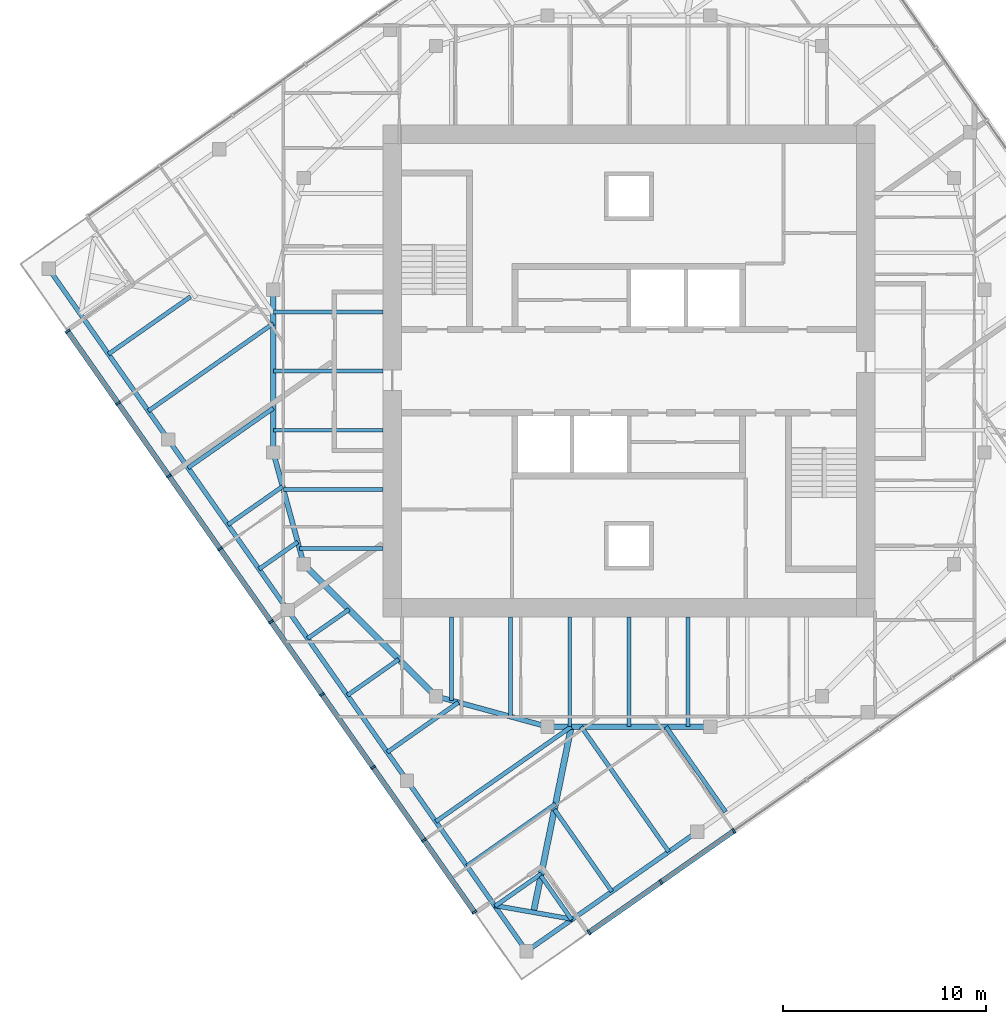
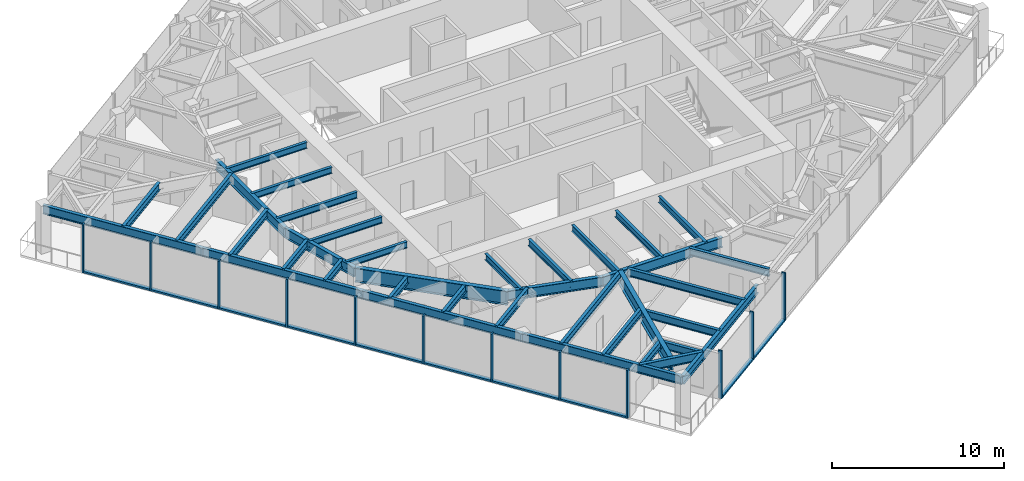
# One storey, part 2 of 12: 37 beams, 22 members, 2 elements without a shape of their own.
"""IFC4 building model written with IfcOpenShell, lengths in metres."""

from ifc_helpers import new_model, si_unit, direction, frame, origin, origin_2d, place, context, subcontext, project, spatial, rectangle, i_section, extrude, material, material_profile, profile_set, type_object, element, aggregate, save


model = new_model("IFC4")

# Units and contexts
model_context = context("Model", 3, precision=1e-05, world=origin(), true_north=direction((0.0, 1.0)))
body_context = subcontext(model_context, "Body", "Model", "MODEL_VIEW")
ifc_project = project(units=[si_unit("LENGTHUNIT", "METRE"), si_unit("AREAUNIT", "SQUARE_METRE"), si_unit("VOLUMEUNIT", "CUBIC_METRE"), si_unit("PLANEANGLEUNIT", "RADIAN"), si_unit("MASSUNIT", "GRAM", prefix="KILO")], contexts=[model_context])

# Site, building, storey
site_placement = place(None, origin())
site = spatial("IfcSite", under=ifc_project, at=site_placement, CompositionType="ELEMENT")
building_placement = place(site_placement, origin())
building = spatial("IfcBuilding", under=site, at=building_placement, Name="Torsade Residences", CompositionType="ELEMENT")
storey_placement = place(building_placement, frame((0.0, 0.0, 243.800048828125)))
storey = spatial("IfcBuildingStorey", under=building, at=storey_placement, Name="L67", CompositionType="ELEMENT", Elevation=243.800048828125)

# Beams
ifc_material_1 = material(Name="Steel grade 300", Category="steel")
ifc_material_profile_1 = material_profile(ifc_material_1, i_section(OverallWidth=0.300048828125, OverallDepth=0.89990234375, WebThickness=0.011962890625, FlangeThickness=0.02490234375, at=origin_2d()), Name="900WB175")
ifc_profile_set_1 = profile_set([ifc_material_profile_1], Name="Steel grade 300")
beam_type_1 = type_object("IfcBeamType", Name="CORNER GIRDER 900WB175", PredefinedType="BEAM", material=ifc_profile_set_1)
beam_1_placement = place(storey_placement, frame((35.303466796875, 3.364013671875, 2.800048828125), z_axis=(0.199584461589, 0.979880626756, 0.0), x_axis=(-0.979880626756, 0.199584461589, 0.0)))
element("IfcBeam", 1, at=beam_1_placement, inside=storey, type_object=beam_type_1, Name="Corner girder 01 L68", PredefinedType="BEAM", context=body_context, shape_type="SweptSolid", body=[
    extrude(i_section(OverallWidth=0.300048828125, OverallDepth=0.89990234375, WebThickness=0.011962890625, FlangeThickness=0.02490234375, at=origin_2d()), origin(), (0.0, 0.0, 1.0), 9.323486328125),
])
ifc_material_2 = material(Name="Steel grade 300", Category="steel")
ifc_material_profile_2 = material_profile(ifc_material_2, i_section(OverallWidth=0.22802734375, OverallDepth=0.60205078125, WebThickness=0.010498046875, FlangeThickness=0.014892578125, FilletRadius=0.013916015625, at=origin_2d()), Name="610UB101")
ifc_profile_set_2 = profile_set([ifc_material_profile_2], Name="Steel grade 300")
beam_type_2 = type_object("IfcBeamType", Name="CORNER TRIMMER 610UB101", PredefinedType="BEAM", material=ifc_profile_set_2)
beam_2_placement = place(storey_placement, frame((37.21826171875, 3.0263671875, 2.948974609375), z_axis=(-0.984808196894, 0.173645660267, 0.0), x_axis=(-0.173645660267, -0.984808196894, 0.0)))
element("IfcBeam", 2, at=beam_2_placement, inside=storey, type_object=beam_type_2, Name="Corner trimmer 01 L68", PredefinedType="BEAM", context=body_context, shape_type="SweptSolid", body=[
    extrude(i_section(OverallWidth=0.22802734375, OverallDepth=0.60205078125, WebThickness=0.010498046875, FlangeThickness=0.014892578125, FilletRadius=0.013916015625, at=origin_2d()), origin(), (0.0, 0.0, 1.0), 3.888916015625),
])
ifc_material_3 = material(Name="Steel grade 300", Category="steel")
ifc_material_profile_3 = material_profile(ifc_material_3, i_section(OverallWidth=0.22900390625, OverallDepth=0.612060546875, WebThickness=0.011962890625, FlangeThickness=0.01953125, FilletRadius=0.013916015625, at=origin_2d()), Name="610UB125")
ifc_profile_set_3 = profile_set([ifc_material_profile_3], Name="Steel grade 300")
beam_type_3 = type_object("IfcBeamType", Name="EDGE BEAM 610UB125", PredefinedType="SPANDREL", material=ifc_profile_set_3)
for number, where, z_axis, x_axis, name in (
    (3, (34.9658203125, 1.448974609375, 2.94384765625), (0.819150225126, 0.573579034377, 0.0), (-0.573579034377, 0.819150225126, 0.0), "Edge beam 01 L68"),
    (4, (11.448974609375, 35.0341796875, 2.94384765625), (0.573579034377, -0.819150225126, 0.0), (0.819150225126, 0.573579034377, 0.0), "Edge beam 13 L68"),
    (5, (17.328125, 26.637939453125, 2.94384765625), (0.573579034377, -0.819150225126, 0.0), (0.819150225126, 0.573579034377, 0.0), "Edge beam 14 L68"),
    (6, (23.207275390625, 18.24169921875, 2.94384765625), (0.573579034377, -0.819150225126, 0.0), (0.819150225126, 0.573579034377, 0.0), "Edge beam 15 L68"),
):
    element("IfcBeam", number, at=place(storey_placement, frame(where, z_axis=z_axis, x_axis=x_axis)), inside=storey, type_object=beam_type_3, Name=name, PredefinedType="SPANDREL", context=body_context, shape_type="SweptSolid", body=[
        extrude(i_section(OverallWidth=0.22900390625, OverallDepth=0.612060546875, WebThickness=0.011962890625, FlangeThickness=0.01953125, FilletRadius=0.013916015625, at=origin_2d()), origin(), (0.0, 0.0, 1.0), 10.25),
    ])
beam_3_placement = place(storey_placement, frame((29.08642578125, 9.845458984375, 2.94384765625), z_axis=(0.573583825578, -0.819146870247, 0.0), x_axis=(0.819146870247, 0.573583825578, 0.0)))
element("IfcBeam", 7, at=beam_3_placement, inside=storey, type_object=beam_type_3, Name="Edge beam 16 L68", PredefinedType="SPANDREL", context=body_context, shape_type="SweptSolid", body=[
    extrude(i_section(OverallWidth=0.22900390625, OverallDepth=0.612060546875, WebThickness=0.011962890625, FlangeThickness=0.01953125, FilletRadius=0.013916015625, at=origin_2d()), origin(), (0.0, 0.0, 1.0), 10.250244140625),
])

# Curtain wall, members
ifc_material_4 = material(Name="Aluminium and glass", Category="aluminium")
curtain_wall_type = type_object("IfcCurtainWallType", Name="FRITTED GLASS CURTAIN WALL HIGH ZONE", PredefinedType="NOTDEFINED", material=ifc_material_4)
curtain_wall_1_placement = place(storey_placement, origin())
curtain_wall_1 = element("IfcCurtainWall", 8, at=curtain_wall_1_placement, inside=storey, type_object=curtain_wall_type, Name="Curtain wall L67 face 1", PredefinedType="NOTDEFINED")
ifc_material_5 = material(Name="Aluminium mullion", Category="aluminium")
ifc_material_profile_4 = material_profile(ifc_material_5, rectangle(XDim=0.25, YDim=0.10009765625, at=origin_2d()), Name="HIGH ZONE CURTAIN WALL MULLION 250x100")
ifc_profile_set_4 = profile_set([ifc_material_profile_4], Name="Aluminium mullion")
member_type_1 = type_object("IfcMemberType", Name="HIGH ZONE CURTAIN WALL MULLION 250x100", PredefinedType="MULLION", material=ifc_profile_set_4)
member_1_placement = place(storey_placement, frame((38.03759765625, 2.37939453125, 0.0), z_axis=(0.0, 0.0, 1.0), x_axis=(-0.573576457682, 0.819152029353, 0.0)))
member_1 = element("IfcMember", 9, at=member_1_placement, type_object=member_type_1, Name="Mullion 1", PredefinedType="MULLION", context=body_context, shape_type="SweptSolid", body=[
    extrude(rectangle(XDim=0.25, YDim=0.10009765625, at=origin_2d()), origin(), (0.0, 0.0, 1.0), 3.39990234375),
])
member_2_placement = place(storey_placement, frame((41.58056640625, 4.860107421875, 0.0), z_axis=(0.0, 0.0, 1.0), x_axis=(-0.573576457682, 0.819152029353, 0.0)))
member_2 = element("IfcMember", 10, at=member_2_placement, type_object=member_type_1, Name="Mullion 2", PredefinedType="MULLION", context=body_context, shape_type="SweptSolid", body=[
    extrude(rectangle(XDim=0.25, YDim=0.10009765625, at=origin_2d()), origin(), (0.0, 0.0, 1.0), 3.39990234375),
])
member_3_placement = place(storey_placement, frame((45.164306640625, 7.369384765625, 0.0), z_axis=(0.0, 0.0, 1.0), x_axis=(-0.573576457682, 0.819152029353, 0.0)))
member_3 = element("IfcMember", 11, at=member_3_placement, type_object=member_type_1, Name="Mullion 3", PredefinedType="MULLION", context=body_context, shape_type="SweptSolid", body=[
    extrude(rectangle(XDim=0.25, YDim=0.10009765625, at=origin_2d()), origin(), (0.0, 0.0, 1.0), 3.39990234375),
])

curtain_wall_2_placement = place(storey_placement, origin())
curtain_wall_2 = element("IfcCurtainWall", 12, at=curtain_wall_2_placement, inside=storey, type_object=curtain_wall_type, Name="Curtain wall L67 face 10", PredefinedType="NOTDEFINED")
member_4_placement = place(storey_placement, frame((12.37939453125, 31.96240234375, 0.0), z_axis=(0.0, 0.0, 1.0), x_axis=(0.819152029353, 0.573576457682, 0.0)))
member_4 = element("IfcMember", 13, at=member_4_placement, type_object=member_type_1, Name="Mullion 1", PredefinedType="MULLION", context=body_context, shape_type="SweptSolid", body=[
    extrude(rectangle(XDim=0.25, YDim=0.10009765625, at=origin_2d()), origin(), (0.0, 0.0, 1.0), 3.39990234375),
])
member_5_placement = place(storey_placement, frame((14.860107421875, 28.41943359375, 0.0), z_axis=(0.0, 0.0, 1.0), x_axis=(0.819152029353, 0.573576457682, 0.0)))
member_5 = element("IfcMember", 14, at=member_5_placement, type_object=member_type_1, Name="Mullion 2", PredefinedType="MULLION", context=body_context, shape_type="SweptSolid", body=[
    extrude(rectangle(XDim=0.25, YDim=0.10009765625, at=origin_2d()), origin(), (0.0, 0.0, 1.0), 3.39990234375),
])
member_6_placement = place(storey_placement, frame((17.369384765625, 24.835693359375, 0.0), z_axis=(0.0, 0.0, 1.0), x_axis=(0.819152029353, 0.573576457682, 0.0)))
member_6 = element("IfcMember", 15, at=member_6_placement, type_object=member_type_1, Name="Mullion 3", PredefinedType="MULLION", context=body_context, shape_type="SweptSolid", body=[
    extrude(rectangle(XDim=0.25, YDim=0.10009765625, at=origin_2d()), origin(), (0.0, 0.0, 1.0), 3.39990234375),
])
member_7_placement = place(storey_placement, frame((19.87890625, 21.251953125, 0.0), z_axis=(0.0, 0.0, 1.0), x_axis=(0.819152029353, 0.573576457682, 0.0)))
member_7 = element("IfcMember", 16, at=member_7_placement, type_object=member_type_1, Name="Mullion 4", PredefinedType="MULLION", context=body_context, shape_type="SweptSolid", body=[
    extrude(rectangle(XDim=0.25, YDim=0.10009765625, at=origin_2d()), origin(), (0.0, 0.0, 1.0), 3.39990234375),
])
member_8_placement = place(storey_placement, frame((22.38818359375, 17.668212890625, 0.0), z_axis=(0.0, 0.0, 1.0), x_axis=(0.819152029353, 0.573576457682, 0.0)))
member_8 = element("IfcMember", 17, at=member_8_placement, type_object=member_type_1, Name="Mullion 5", PredefinedType="MULLION", context=body_context, shape_type="SweptSolid", body=[
    extrude(rectangle(XDim=0.25, YDim=0.10009765625, at=origin_2d()), origin(), (0.0, 0.0, 1.0), 3.39990234375),
])
member_9_placement = place(storey_placement, frame((24.897705078125, 14.084228515625, 0.0), z_axis=(0.0, 0.0, 1.0), x_axis=(0.819152029353, 0.573576457682, 0.0)))
member_9 = element("IfcMember", 18, at=member_9_placement, type_object=member_type_1, Name="Mullion 6", PredefinedType="MULLION", context=body_context, shape_type="SweptSolid", body=[
    extrude(rectangle(XDim=0.25, YDim=0.10009765625, at=origin_2d()), origin(), (0.0, 0.0, 1.0), 3.39990234375),
])
member_10_placement = place(storey_placement, frame((27.406982421875, 10.50048828125, 0.0), z_axis=(0.0, 0.0, 1.0), x_axis=(0.819152029353, 0.573576457682, 0.0)))
member_10 = element("IfcMember", 19, at=member_10_placement, type_object=member_type_1, Name="Mullion 7", PredefinedType="MULLION", context=body_context, shape_type="SweptSolid", body=[
    extrude(rectangle(XDim=0.25, YDim=0.10009765625, at=origin_2d()), origin(), (0.0, 0.0, 1.0), 3.39990234375),
])
member_11_placement = place(storey_placement, frame((29.91650390625, 6.916748046875, 0.0), z_axis=(0.0, 0.0, 1.0), x_axis=(0.819152029353, 0.573576457682, 0.0)))
member_11 = element("IfcMember", 20, at=member_11_placement, type_object=member_type_1, Name="Mullion 8", PredefinedType="MULLION", context=body_context, shape_type="SweptSolid", body=[
    extrude(rectangle(XDim=0.25, YDim=0.10009765625, at=origin_2d()), origin(), (0.0, 0.0, 1.0), 3.39990234375),
])
member_12_placement = place(storey_placement, frame((32.397216796875, 3.3740234375, 0.0), z_axis=(0.0, 0.0, 1.0), x_axis=(0.819152029353, 0.573576457682, 0.0)))
member_12 = element("IfcMember", 21, at=member_12_placement, type_object=member_type_1, Name="Mullion 9", PredefinedType="MULLION", context=body_context, shape_type="SweptSolid", body=[
    extrude(rectangle(XDim=0.25, YDim=0.10009765625, at=origin_2d()), origin(), (0.0, 0.0, 1.0), 3.39990234375),
])

# Member
ifc_material_6 = material(Name="Aluminium transom", Category="aluminium")
ifc_material_profile_5 = material_profile(ifc_material_6, rectangle(XDim=0.25, YDim=0.1201171875, at=origin_2d()), Name="HIGH ZONE CURTAIN WALL TRANSOM 250x120")
ifc_profile_set_5 = profile_set([ifc_material_profile_5], Name="Aluminium transom")
member_type_2 = type_object("IfcMemberType", Name="HIGH ZONE CURTAIN WALL TRANSOM 250x120", PredefinedType="USERDEFINED", material=ifc_profile_set_5)
member_13_placement = place(storey_placement, frame((38.07861328125, 2.407958984375, 0.06005859375), z_axis=(0.819155901234, 0.573570928023, 0.0), x_axis=(-0.573570928023, 0.819155901234, 0.0)))
member_13 = element("IfcMember", 22, at=member_13_placement, type_object=member_type_2, Name="Transom 1.1", ObjectType="TRANSOM", PredefinedType="USERDEFINED", context=body_context, shape_type="SweptSolid", body=[
    extrude(rectangle(XDim=0.25, YDim=0.1201171875, at=origin_2d()), origin(), (0.0, 0.0, 1.0), 4.22509765625),
])

member_14_placement = place(storey_placement, frame((41.62158203125, 4.888671875, 0.06005859375), z_axis=(0.819127269283, 0.573611817101, 0.0), x_axis=(-0.573611817101, 0.819127269283, 0.0)))
member_14 = element("IfcMember", 23, at=member_14_placement, type_object=member_type_2, Name="Transom 2.1", ObjectType="TRANSOM", PredefinedType="USERDEFINED", context=body_context, shape_type="SweptSolid", body=[
    extrude(rectangle(XDim=0.25, YDim=0.1201171875, at=origin_2d()), origin(), (0.0, 0.0, 1.0), 4.27490234375),
])

aggregate(curtain_wall_1, [member_1, member_2, member_3, member_13, member_14])

member_15_placement = place(storey_placement, frame((12.407958984375, 31.92138671875, 0.06005859375), z_axis=(0.573570928023, -0.819155901234, 0.0), x_axis=(0.819155901234, 0.573570928023, 0.0)))
member_15 = element("IfcMember", 24, at=member_15_placement, type_object=member_type_2, Name="Transom 1.1", ObjectType="TRANSOM", PredefinedType="USERDEFINED", context=body_context, shape_type="SweptSolid", body=[
    extrude(rectangle(XDim=0.25, YDim=0.1201171875, at=origin_2d()), origin(), (0.0, 0.0, 1.0), 4.22509765625),
])

member_16_placement = place(storey_placement, frame((14.888671875, 28.37841796875, 0.06005859375), z_axis=(0.573611817101, -0.819127269283, 0.0), x_axis=(0.819127269283, 0.573611817101, 0.0)))
member_16 = element("IfcMember", 25, at=member_16_placement, type_object=member_type_2, Name="Transom 2.1", ObjectType="TRANSOM", PredefinedType="USERDEFINED", context=body_context, shape_type="SweptSolid", body=[
    extrude(rectangle(XDim=0.25, YDim=0.1201171875, at=origin_2d()), origin(), (0.0, 0.0, 1.0), 4.27490234375),
])

member_17_placement = place(storey_placement, frame((17.398193359375, 24.794677734375, 0.06005859375), z_axis=(0.573573496219, -0.819154102984, 0.0), x_axis=(0.819154102984, 0.573573496219, 0.0)))
member_17 = element("IfcMember", 26, at=member_17_placement, type_object=member_type_2, Name="Transom 3.1", ObjectType="TRANSOM", PredefinedType="USERDEFINED", context=body_context, shape_type="SweptSolid", body=[
    extrude(rectangle(XDim=0.25, YDim=0.1201171875, at=origin_2d()), origin(), (0.0, 0.0, 1.0), 4.27490234375),
])

member_18_placement = place(storey_placement, frame((19.907470703125, 21.2109375, 0.06005859375), z_axis=(0.57358498433, -0.819146058863, 0.0), x_axis=(0.819146058863, 0.57358498433, 0.0)))
member_18 = element("IfcMember", 27, at=member_18_placement, type_object=member_type_2, Name="Transom 4.1", ObjectType="TRANSOM", PredefinedType="USERDEFINED", context=body_context, shape_type="SweptSolid", body=[
    extrude(rectangle(XDim=0.25, YDim=0.1201171875, at=origin_2d()), origin(), (0.0, 0.0, 1.0), 4.275146484375),
])

member_19_placement = place(storey_placement, frame((22.4169921875, 17.627197265625, 0.06005859375), z_axis=(0.573546663483, -0.81917289067, 0.0), x_axis=(0.81917289067, 0.573546663483, 0.0)))
member_19 = element("IfcMember", 28, at=member_19_placement, type_object=member_type_2, Name="Transom 5.1", ObjectType="TRANSOM", PredefinedType="USERDEFINED", context=body_context, shape_type="SweptSolid", body=[
    extrude(rectangle(XDim=0.25, YDim=0.1201171875, at=origin_2d()), origin(), (0.0, 0.0, 1.0), 4.27490234375),
])

member_20_placement = place(storey_placement, frame((24.92626953125, 14.04345703125, 0.06005859375), z_axis=(0.57358498433, -0.819146058863, 0.0), x_axis=(0.819146058863, 0.57358498433, 0.0)))
member_20 = element("IfcMember", 29, at=member_20_placement, type_object=member_type_2, Name="Transom 6.1", ObjectType="TRANSOM", PredefinedType="USERDEFINED", context=body_context, shape_type="SweptSolid", body=[
    extrude(rectangle(XDim=0.25, YDim=0.1201171875, at=origin_2d()), origin(), (0.0, 0.0, 1.0), 4.275146484375),
])

member_21_placement = place(storey_placement, frame((27.435791015625, 10.45947265625, 0.06005859375), z_axis=(0.573573496219, -0.819154102984, 0.0), x_axis=(0.819154102984, 0.573573496219, 0.0)))
member_21 = element("IfcMember", 30, at=member_21_placement, type_object=member_type_2, Name="Transom 7.1", ObjectType="TRANSOM", PredefinedType="USERDEFINED", context=body_context, shape_type="SweptSolid", body=[
    extrude(rectangle(XDim=0.25, YDim=0.1201171875, at=origin_2d()), origin(), (0.0, 0.0, 1.0), 4.27490234375),
])

member_22_placement = place(storey_placement, frame((29.945068359375, 6.875732421875, 0.06005859375), z_axis=(0.573570928023, -0.819155901234, 0.0), x_axis=(0.819155901234, 0.573570928023, 0.0)))
member_22 = element("IfcMember", 31, at=member_22_placement, type_object=member_type_2, Name="Transom 8.1", ObjectType="TRANSOM", PredefinedType="USERDEFINED", context=body_context, shape_type="SweptSolid", body=[
    extrude(rectangle(XDim=0.25, YDim=0.1201171875, at=origin_2d()), origin(), (0.0, 0.0, 1.0), 4.22509765625),
])

aggregate(curtain_wall_2, [member_4, member_5, member_6, member_7, member_8, member_9, member_10, member_11, member_12, member_15, member_16, member_17, member_18, member_19, member_20, member_21, member_22])

# Beams
ifc_material_7 = material(Name="Steel grade 300", Category="steel")
ifc_material_profile_6 = material_profile(ifc_material_7, i_section(OverallWidth=0.18994140625, OverallDepth=0.4541015625, WebThickness=0.008544921875, FlangeThickness=0.0126953125, FilletRadius=0.011474609375, at=origin_2d()), Name="460UB67.1")
ifc_profile_set_6 = profile_set([ifc_material_profile_6], Name="Steel grade 300")
beam_type_4 = type_object("IfcBeamType", Name="INNER FLOOR BEAM 460UB67.1", PredefinedType="JOIST", material=ifc_profile_set_6)
for number, where, z_axis, x_axis, name in (
    (32, (42.91259765625, 17.89990234375, 3.02294921875), (0.0, -1.0, 0.0), (1.0, 0.0, 0.0), "Inner floor beam IS03 L68"),
    (33, (40.0, 17.89990234375, 3.02294921875), (0.0, -1.0, 0.0), (1.0, 0.0, 0.0), "Inner floor beam IS04 L68"),
    (34, (37.08740234375, 17.89990234375, 3.02294921875), (0.0, -1.0, 0.0), (1.0, 0.0, 0.0), "Inner floor beam IS05 L68"),
):
    element("IfcBeam", number, at=place(storey_placement, frame(where, z_axis=z_axis, x_axis=x_axis)), inside=storey, type_object=beam_type_4, Name=name, PredefinedType="JOIST", context=body_context, shape_type="SweptSolid", body=[
        extrude(i_section(OverallWidth=0.18994140625, OverallDepth=0.4541015625, WebThickness=0.008544921875, FlangeThickness=0.0126953125, FilletRadius=0.011474609375, at=origin_2d()), origin(), (0.0, 0.0, 1.0), 5.39990234375),
    ])
beam_4_placement = place(storey_placement, frame((34.175048828125, 17.89990234375, 3.02294921875), z_axis=(0.0, -1.0, 0.0), x_axis=(1.0, 0.0, 0.0)))
element("IfcBeam", 35, at=beam_4_placement, inside=storey, type_object=beam_type_4, Name="Inner floor beam IS06 L68", PredefinedType="JOIST", context=body_context, shape_type="SweptSolid", body=[
    extrude(i_section(OverallWidth=0.18994140625, OverallDepth=0.4541015625, WebThickness=0.008544921875, FlangeThickness=0.0126953125, FilletRadius=0.011474609375, at=origin_2d()), origin(), (0.0, 0.0, 1.0), 4.902099609375),
])
beam_5_placement = place(storey_placement, frame((31.262451171875, 17.89990234375, 3.02294921875), z_axis=(0.0, -1.0, 0.0), x_axis=(1.0, 0.0, 0.0)))
element("IfcBeam", 36, at=beam_5_placement, inside=storey, type_object=beam_type_4, Name="Inner floor beam IS07 L68", PredefinedType="JOIST", context=body_context, shape_type="SweptSolid", body=[
    extrude(i_section(OverallWidth=0.18994140625, OverallDepth=0.4541015625, WebThickness=0.008544921875, FlangeThickness=0.0126953125, FilletRadius=0.011474609375, at=origin_2d()), origin(), (0.0, 0.0, 1.0), 4.10791015625),
])
for number, where, z_axis, x_axis, name in (
    (37, (27.89990234375, 32.91259765625, 3.02294921875), (-1.0, 0.0, 0.0), (0.0, -1.0, 0.0), "Inner floor beam IW03 L68"),
    (38, (27.89990234375, 30.0, 3.02294921875), (-1.0, 0.0, 0.0), (0.0, -1.0, 0.0), "Inner floor beam IW04 L68"),
    (39, (27.89990234375, 27.08740234375, 3.02294921875), (-1.0, 0.0, 0.0), (0.0, -1.0, 0.0), "Inner floor beam IW05 L68"),
):
    element("IfcBeam", number, at=place(storey_placement, frame(where, z_axis=z_axis, x_axis=x_axis)), inside=storey, type_object=beam_type_4, Name=name, PredefinedType="JOIST", context=body_context, shape_type="SweptSolid", body=[
        extrude(i_section(OverallWidth=0.18994140625, OverallDepth=0.4541015625, WebThickness=0.008544921875, FlangeThickness=0.0126953125, FilletRadius=0.011474609375, at=origin_2d()), origin(), (0.0, 0.0, 1.0), 5.39990234375),
    ])
beam_6_placement = place(storey_placement, frame((27.89990234375, 24.175048828125, 3.02294921875), z_axis=(-1.0, 0.0, 0.0), x_axis=(0.0, -1.0, 0.0)))
element("IfcBeam", 40, at=beam_6_placement, inside=storey, type_object=beam_type_4, Name="Inner floor beam IW06 L68", PredefinedType="JOIST", context=body_context, shape_type="SweptSolid", body=[
    extrude(i_section(OverallWidth=0.18994140625, OverallDepth=0.4541015625, WebThickness=0.008544921875, FlangeThickness=0.0126953125, FilletRadius=0.011474609375, at=origin_2d()), origin(), (0.0, 0.0, 1.0), 4.902099609375),
])
beam_7_placement = place(storey_placement, frame((27.89990234375, 21.262451171875, 3.02294921875), z_axis=(-1.0, 0.0, 0.0), x_axis=(0.0, -1.0, 0.0)))
element("IfcBeam", 41, at=beam_7_placement, inside=storey, type_object=beam_type_4, Name="Inner floor beam IW07 L68", PredefinedType="JOIST", context=body_context, shape_type="SweptSolid", body=[
    extrude(i_section(OverallWidth=0.18994140625, OverallDepth=0.4541015625, WebThickness=0.008544921875, FlangeThickness=0.0126953125, FilletRadius=0.011474609375, at=origin_2d()), origin(), (0.0, 0.0, 1.0), 4.10791015625),
])
ifc_material_8 = material(Name="Steel grade 300", Category="steel")
ifc_material_profile_7 = material_profile(ifc_material_8, i_section(OverallWidth=0.300048828125, OverallDepth=1.0, WebThickness=0.01611328125, FlangeThickness=0.028076171875, at=origin_2d()), Name="1000WB215")
ifc_profile_set_7 = profile_set([ifc_material_profile_7], Name="Steel grade 300")
beam_type_5 = type_object("IfcBeamType", Name="RING CORNER GIRDER 1000WB215", PredefinedType="BEAM", material=ifc_profile_set_7)
beam_8_placement = place(storey_placement, frame((24.0, 20.5, 2.75), z_axis=(0.707106781187, -0.707106781187, 0.0), x_axis=(0.707106781187, 0.707106781187, 0.0)))
element("IfcBeam", 42, at=beam_8_placement, inside=storey, type_object=beam_type_5, Name="Ring girder IR11 L68", PredefinedType="BEAM", context=body_context, shape_type="SweptSolid", body=[
    extrude(i_section(OverallWidth=0.300048828125, OverallDepth=1.0, WebThickness=0.01611328125, FlangeThickness=0.028076171875, at=origin_2d()), origin(), (0.0, 0.0, 1.0), 9.1923828125),
])
ifc_material_9 = material(Name="Steel grade 300", Category="steel")
ifc_material_profile_8 = material_profile(ifc_material_9, i_section(OverallWidth=0.25, OverallDepth=0.699951171875, WebThickness=0.010009765625, FlangeThickness=0.02001953125, at=origin_2d()), Name="700WB130")
ifc_profile_set_8 = profile_set([ifc_material_profile_8], Name="Steel grade 300")
beam_type_6 = type_object("IfcBeamType", Name="RING GIRDER 700WB130", PredefinedType="BEAM", material=ifc_profile_set_8)
beam_9_placement = place(storey_placement, frame((22.5, 34.0, 2.89990234375), z_axis=(0.0, -1.0, 0.0), x_axis=(1.0, 0.0, 0.0)))
element("IfcBeam", 43, at=beam_9_placement, inside=storey, type_object=beam_type_6, Name="Ring girder IR09 L68", PredefinedType="BEAM", context=body_context, shape_type="SweptSolid", body=[
    extrude(i_section(OverallWidth=0.25, OverallDepth=0.699951171875, WebThickness=0.010009765625, FlangeThickness=0.02001953125, at=origin_2d()), origin(), (0.0, 0.0, 1.0), 8.0),
])
for number, where, z_axis, x_axis, name in (
    (44, (22.5, 26.0, 2.89990234375), (0.263117405792, -0.964763821238, 0.0), (0.964763821238, 0.263117405792, 0.0), "Ring girder IR10 L68"),
    (45, (30.5, 14.0, 2.89990234375), (0.964763821238, -0.263117405792, 0.0), (0.263117405792, 0.964763821238, 0.0), "Ring girder IR12 L68"),
):
    element("IfcBeam", number, at=place(storey_placement, frame(where, z_axis=z_axis, x_axis=x_axis)), inside=storey, type_object=beam_type_6, Name=name, PredefinedType="BEAM", context=body_context, shape_type="SweptSolid", body=[
        extrude(i_section(OverallWidth=0.25, OverallDepth=0.699951171875, WebThickness=0.010009765625, FlangeThickness=0.02001953125, at=origin_2d()), origin(), (0.0, 0.0, 1.0), 5.700927734375),
    ])
beam_10_placement = place(storey_placement, frame((36.0, 12.5, 2.89990234375), z_axis=(1.0, 0.0, 0.0), x_axis=(0.0, 1.0, 0.0)))
element("IfcBeam", 46, at=beam_10_placement, inside=storey, type_object=beam_type_6, Name="Ring girder IR13 L68", PredefinedType="BEAM", context=body_context, shape_type="SweptSolid", body=[
    extrude(i_section(OverallWidth=0.25, OverallDepth=0.699951171875, WebThickness=0.010009765625, FlangeThickness=0.02001953125, at=origin_2d()), origin(), (0.0, 0.0, 1.0), 8.0),
])
ifc_material_10 = material(Name="Steel grade 300", Category="steel")
ifc_material_profile_9 = material_profile(ifc_material_10, i_section(OverallWidth=0.208984375, OverallDepth=0.532958984375, WebThickness=0.01025390625, FlangeThickness=0.015625, FilletRadius=0.013916015625, at=origin_2d()), Name="530UB92.4")
ifc_profile_set_9 = profile_set([ifc_material_profile_9], Name="Steel grade 300")
beam_type_7 = type_object("IfcBeamType", Name="SECONDARY BEAM 530UB92.4", PredefinedType="JOIST", material=ifc_profile_set_9)
beam_11_placement = place(storey_placement, frame((37.184326171875, 3.00244140625, 2.9833984375), z_axis=(-0.573592685254, 0.819140666445, 0.0), x_axis=(-0.819140666445, -0.573592685254, 0.0)))
element("IfcBeam", 47, at=beam_11_placement, inside=storey, type_object=beam_type_7, Name="Floor beam FS01 L68", PredefinedType="JOIST", context=body_context, shape_type="SweptSolid", body=[
    extrude(i_section(OverallWidth=0.208984375, OverallDepth=0.532958984375, WebThickness=0.01025390625, FlangeThickness=0.015625, FilletRadius=0.013916015625, at=origin_2d()), origin(), (0.0, 0.0, 1.0), 2.639892578125),
])
beam_12_placement = place(storey_placement, frame((39.163818359375, 4.388671875, 2.9833984375), z_axis=(-0.573575295634, 0.819152843027, 0.0), x_axis=(-0.819152843027, -0.573575295634, 0.0)))
element("IfcBeam", 48, at=beam_12_placement, inside=storey, type_object=beam_type_7, Name="Floor beam FS02 L68", PredefinedType="JOIST", context=body_context, shape_type="SweptSolid", body=[
    extrude(i_section(OverallWidth=0.208984375, OverallDepth=0.532958984375, WebThickness=0.01025390625, FlangeThickness=0.015625, FilletRadius=0.013916015625, at=origin_2d()), origin(), (0.0, 0.0, 1.0), 4.931884765625),
])
beam_13_placement = place(storey_placement, frame((41.962646484375, 6.348388671875, 2.9833984375), z_axis=(-0.573573614851, 0.819154019917, 0.0), x_axis=(-0.819154019917, -0.573573614851, 0.0)))
element("IfcBeam", 49, at=beam_13_placement, inside=storey, type_object=beam_type_7, Name="Floor beam FS03 L68", PredefinedType="JOIST", context=body_context, shape_type="SweptSolid", body=[
    extrude(i_section(OverallWidth=0.208984375, OverallDepth=0.532958984375, WebThickness=0.01025390625, FlangeThickness=0.015625, FilletRadius=0.013916015625, at=origin_2d()), origin(), (0.0, 0.0, 1.0), 7.509765625),
])
beam_14_placement = place(storey_placement, frame((44.761474609375, 8.30810546875, 2.9833984375), z_axis=(-0.573590411882, 0.819142258339, 0.0), x_axis=(-0.819142258339, -0.573590411882, 0.0)))
element("IfcBeam", 50, at=beam_14_placement, inside=storey, type_object=beam_type_7, Name="Floor beam FS04 L68", PredefinedType="JOIST", context=body_context, shape_type="SweptSolid", body=[
    extrude(i_section(OverallWidth=0.208984375, OverallDepth=0.532958984375, WebThickness=0.01025390625, FlangeThickness=0.015625, FilletRadius=0.013916015625, at=origin_2d()), origin(), (0.0, 0.0, 1.0), 5.117431640625),
])
beam_15_placement = place(storey_placement, frame((14.388671875, 30.836181640625, 2.9833984375), z_axis=(0.819152843027, 0.573575295634, 0.0), x_axis=(-0.573575295634, 0.819152843027, 0.0)))
element("IfcBeam", 51, at=beam_15_placement, inside=storey, type_object=beam_type_7, Name="Floor beam FW02 L68", PredefinedType="JOIST", context=body_context, shape_type="SweptSolid", body=[
    extrude(i_section(OverallWidth=0.208984375, OverallDepth=0.532958984375, WebThickness=0.01025390625, FlangeThickness=0.015625, FilletRadius=0.013916015625, at=origin_2d()), origin(), (0.0, 0.0, 1.0), 4.931884765625),
])
beam_16_placement = place(storey_placement, frame((16.348388671875, 28.037353515625, 2.9833984375), z_axis=(0.819154019917, 0.573573614851, 0.0), x_axis=(-0.573573614851, 0.819154019917, 0.0)))
element("IfcBeam", 52, at=beam_16_placement, inside=storey, type_object=beam_type_7, Name="Floor beam FW03 L68", PredefinedType="JOIST", context=body_context, shape_type="SweptSolid", body=[
    extrude(i_section(OverallWidth=0.208984375, OverallDepth=0.532958984375, WebThickness=0.01025390625, FlangeThickness=0.015625, FilletRadius=0.013916015625, at=origin_2d()), origin(), (0.0, 0.0, 1.0), 7.509765625),
])
beam_17_placement = place(storey_placement, frame((18.30810546875, 25.238525390625, 2.9833984375), z_axis=(0.819142258339, 0.573590411882, 0.0), x_axis=(-0.573590411882, 0.819142258339, 0.0)))
element("IfcBeam", 53, at=beam_17_placement, inside=storey, type_object=beam_type_7, Name="Floor beam FW04 L68", PredefinedType="JOIST", context=body_context, shape_type="SweptSolid", body=[
    extrude(i_section(OverallWidth=0.208984375, OverallDepth=0.532958984375, WebThickness=0.01025390625, FlangeThickness=0.015625, FilletRadius=0.013916015625, at=origin_2d()), origin(), (0.0, 0.0, 1.0), 5.117431640625),
])
beam_18_placement = place(storey_placement, frame((20.267822265625, 22.43994140625, 2.9833984375), z_axis=(0.819169032504, 0.573552173902, 0.0), x_axis=(-0.573552173902, 0.819169032504, 0.0)))
element("IfcBeam", 54, at=beam_18_placement, inside=storey, type_object=beam_type_7, Name="Floor beam FW05 L68", PredefinedType="JOIST", context=body_context, shape_type="SweptSolid", body=[
    extrude(i_section(OverallWidth=0.208984375, OverallDepth=0.532958984375, WebThickness=0.01025390625, FlangeThickness=0.015625, FilletRadius=0.013916015625, at=origin_2d()), origin(), (0.0, 0.0, 1.0), 3.283203125),
])
beam_19_placement = place(storey_placement, frame((21.79736328125, 20.25537109375, 2.9833984375), z_axis=(0.819157953557, 0.573567996949, 0.0), x_axis=(-0.573567996949, 0.819157953557, 0.0)))
element("IfcBeam", 55, at=beam_19_placement, inside=storey, type_object=beam_type_7, Name="Floor beam FW06 L68", PredefinedType="JOIST", context=body_context, shape_type="SweptSolid", body=[
    extrude(i_section(OverallWidth=0.208984375, OverallDepth=0.532958984375, WebThickness=0.01025390625, FlangeThickness=0.015625, FilletRadius=0.013916015625, at=origin_2d()), origin(), (0.0, 0.0, 1.0), 2.326171875),
])
beam_20_placement = place(storey_placement, frame((24.187255859375, 16.84228515625, 2.9833984375), z_axis=(0.819172078752, 0.573547823109, 0.0), x_axis=(-0.573547823109, 0.819172078752, 0.0)))
element("IfcBeam", 56, at=beam_20_placement, inside=storey, type_object=beam_type_7, Name="Floor beam FW07 L68", PredefinedType="JOIST", context=body_context, shape_type="SweptSolid", body=[
    extrude(i_section(OverallWidth=0.208984375, OverallDepth=0.532958984375, WebThickness=0.01025390625, FlangeThickness=0.015625, FilletRadius=0.013916015625, at=origin_2d()), origin(), (0.0, 0.0, 1.0), 2.491943359375),
])
beam_21_placement = place(storey_placement, frame((26.14697265625, 14.04345703125, 2.9833984375), z_axis=(0.819135534955, 0.573600013401, 0.0), x_axis=(-0.573600013401, 0.819135534955, 0.0)))
element("IfcBeam", 57, at=beam_21_placement, inside=storey, type_object=beam_type_7, Name="Floor beam FW08 L68", PredefinedType="JOIST", context=body_context, shape_type="SweptSolid", body=[
    extrude(i_section(OverallWidth=0.208984375, OverallDepth=0.532958984375, WebThickness=0.01025390625, FlangeThickness=0.015625, FilletRadius=0.013916015625, at=origin_2d()), origin(), (0.0, 0.0, 1.0), 3.09423828125),
])
beam_22_placement = place(storey_placement, frame((28.106689453125, 11.244873046875, 2.9833984375), z_axis=(0.819148759439, 0.573581127575, 0.0), x_axis=(-0.573581127575, 0.819148759439, 0.0)))
element("IfcBeam", 58, at=beam_22_placement, inside=storey, type_object=beam_type_7, Name="Floor beam FW09 L68", PredefinedType="JOIST", context=body_context, shape_type="SweptSolid", body=[
    extrude(i_section(OverallWidth=0.208984375, OverallDepth=0.532958984375, WebThickness=0.01025390625, FlangeThickness=0.015625, FilletRadius=0.013916015625, at=origin_2d()), origin(), (0.0, 0.0, 1.0), 4.276123046875),
])
beam_23_placement = place(storey_placement, frame((30.49658203125, 7.83154296875, 2.9833984375), z_axis=(0.819151588523, 0.573577087251, 0.0), x_axis=(-0.573577087251, 0.819151588523, 0.0)))
element("IfcBeam", 59, at=beam_23_placement, inside=storey, type_object=beam_type_7, Name="Floor beam FW10 L68", PredefinedType="JOIST", context=body_context, shape_type="SweptSolid", body=[
    extrude(i_section(OverallWidth=0.208984375, OverallDepth=0.532958984375, WebThickness=0.01025390625, FlangeThickness=0.015625, FilletRadius=0.013916015625, at=origin_2d()), origin(), (0.0, 0.0, 1.0), 8.13916015625),
])
beam_24_placement = place(storey_placement, frame((32.026123046875, 5.647216796875, 2.9833984375), z_axis=(0.819137197966, 0.573597638513, 0.0), x_axis=(-0.573597638513, 0.819137197966, 0.0)))
element("IfcBeam", 60, at=beam_24_placement, inside=storey, type_object=beam_type_7, Name="Floor beam FW11 L68", PredefinedType="JOIST", context=body_context, shape_type="SweptSolid", body=[
    extrude(i_section(OverallWidth=0.208984375, OverallDepth=0.532958984375, WebThickness=0.01025390625, FlangeThickness=0.015625, FilletRadius=0.013916015625, at=origin_2d()), origin(), (0.0, 0.0, 1.0), 5.328369140625),
])
beam_25_placement = place(storey_placement, frame((33.412353515625, 3.667724609375, 2.9833984375), z_axis=(0.819190669238, 0.573521270253, 0.0), x_axis=(-0.573521270253, 0.819190669238, 0.0)))
element("IfcBeam", 61, at=beam_25_placement, inside=storey, type_object=beam_type_7, Name="Floor beam FW12 L68", PredefinedType="JOIST", context=body_context, shape_type="SweptSolid", body=[
    extrude(i_section(OverallWidth=0.208984375, OverallDepth=0.532958984375, WebThickness=0.01025390625, FlangeThickness=0.015625, FilletRadius=0.013916015625, at=origin_2d()), origin(), (0.0, 0.0, 1.0), 2.780517578125),
])

save(model, "model.ifc")
